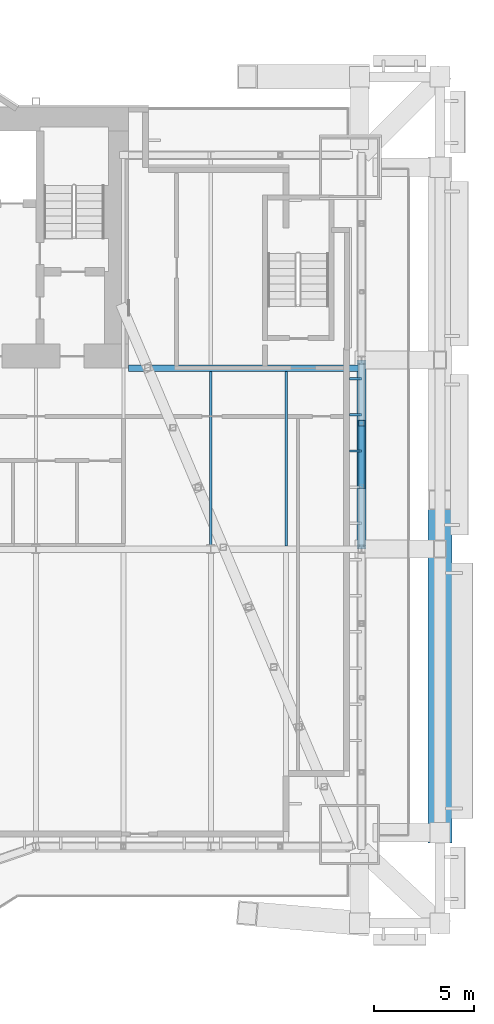
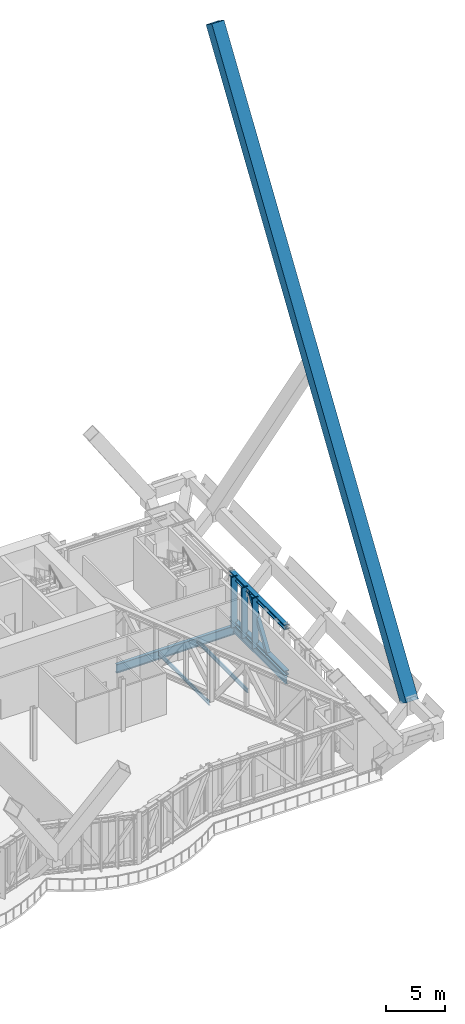
# One storey, part 17 of 32: 7 members, 4 beams, 1 element without a shape of its own.
"""IFC4 building model written with IfcOpenShell, lengths in metres."""

from ifc_helpers import new_model, si_unit, direction, frame, origin, origin_2d, place, context, subcontext, project, spatial, rectangle, hollow_rectangle, i_section, extrude, material, material_profile, profile_set, type_object, element, aggregate, save


model = new_model("IFC4")

# Units and contexts
model_context = context("Model", 3, precision=1e-05, world=origin(), true_north=direction((0.0, 1.0)))
body_context = subcontext(model_context, "Body", "Model", "MODEL_VIEW")
ifc_project = project(units=[si_unit("LENGTHUNIT", "METRE"), si_unit("AREAUNIT", "SQUARE_METRE"), si_unit("VOLUMEUNIT", "CUBIC_METRE"), si_unit("PLANEANGLEUNIT", "RADIAN"), si_unit("MASSUNIT", "GRAM", prefix="KILO")], contexts=[model_context])

# Site, building, storey
site_placement = place(None, origin())
site = spatial("IfcSite", under=ifc_project, at=site_placement, CompositionType="ELEMENT")
building_placement = place(site_placement, origin())
building = spatial("IfcBuilding", under=site, at=building_placement, Name="Bicima Exchange Tower", CompositionType="ELEMENT")
storey_placement = place(building_placement, frame((0.0, 0.0, 84.5)))
storey = spatial("IfcBuildingStorey", under=building, at=storey_placement, Name="L17", CompositionType="ELEMENT", Elevation=84.5)

# Curtain wall, members
ifc_material_1 = material(Name="Anodised bronze aluminium", Category="aluminium")
curtain_wall_type = type_object("IfcCurtainWallType", Name="Band blade screen", PredefinedType="NOTDEFINED", material=ifc_material_1)
curtain_wall_placement = place(storey_placement, origin())
curtain_wall = element("IfcCurtainWall", 1, at=curtain_wall_placement, inside=storey, type_object=curtain_wall_type, Name="Band blade screen L17", PredefinedType="NOTDEFINED")
ifc_material_profile_1 = material_profile(ifc_material_1, rectangle(XDim=0.60009765625, YDim=0.1201171875, at=origin_2d()))
ifc_profile_set_1 = profile_set([ifc_material_profile_1], Name="Anodised bronze aluminium")
member_type_1 = type_object("IfcMemberType", Name="Band blade fin 600 x 120", PredefinedType="USERDEFINED", material=ifc_profile_set_1)
member_1_placement = place(storey_placement, frame((33.300048828125, -17.1201171875, 0.0), z_axis=(0.0, 0.0, 1.0), x_axis=(-1.0, 0.0, 0.0)))
member_1 = element("IfcMember", 2, at=member_1_placement, type_object=member_type_1, Name="Band blade fin 9", ObjectType="FIN", PredefinedType="USERDEFINED", context=body_context, shape_type="SweptSolid", body=[
    extrude(rectangle(XDim=0.60009765625, YDim=0.1201171875, at=origin_2d()), origin(), (0.0, 0.0, 1.0), 5.25),
])
member_2_placement = place(storey_placement, frame((33.300048828125, -15.320068359375, 0.0), z_axis=(0.0, 0.0, 1.0), x_axis=(-1.0, 0.0, 0.0)))
member_2 = element("IfcMember", 3, at=member_2_placement, type_object=member_type_1, Name="Band blade fin 10", ObjectType="FIN", PredefinedType="USERDEFINED", context=body_context, shape_type="SweptSolid", body=[
    extrude(rectangle(XDim=0.60009765625, YDim=0.1201171875, at=origin_2d()), origin(), (0.0, 0.0, 1.0), 5.25),
])
member_3_placement = place(storey_placement, frame((33.300048828125, -13.52001953125, 0.0), z_axis=(0.0, 0.0, 1.0), x_axis=(-1.0, 0.0, 0.0)))
member_3 = element("IfcMember", 4, at=member_3_placement, type_object=member_type_1, Name="Band blade fin 11", ObjectType="FIN", PredefinedType="USERDEFINED", context=body_context, shape_type="SweptSolid", body=[
    extrude(rectangle(XDim=0.60009765625, YDim=0.1201171875, at=origin_2d()), origin(), (0.0, 0.0, 1.0), 5.25),
])
aggregate(curtain_wall, [member_1, member_2, member_3])

# Members
ifc_material_2 = material(Name="Steel ASTM A992 Gr 50", Category="steel")
ifc_material_profile_2 = material_profile(ifc_material_2, i_section(OverallWidth=0.431884765625, OverallDepth=0.497802734375, WebThickness=0.0556640625, FlangeThickness=0.0888671875, at=origin_2d()))
ifc_profile_set_2 = profile_set([ifc_material_profile_2], Name="Steel ASTM A992 Gr 50")
member_type_2 = type_object("IfcMemberType", Name="Belt truss chord W14x500", PredefinedType="CHORD", material=ifc_profile_set_2)
for number, where, z_axis, x_axis, name in (
    (5, (33.60009765625, -12.60009765625, 5.001220703125), (0.0, -1.0, 0.0), (1.0, 0.0, 0.0), "Top chord"),
    (6, (33.60009765625, -12.60009765625, 0.248779296875), (0.0, -1.0, 0.0), (1.0, 0.0, 0.0), "Bottom chord"),
):
    element("IfcMember", number, at=place(storey_placement, frame(where, z_axis=z_axis, x_axis=x_axis)), inside=storey, type_object=member_type_2, Name=name, PredefinedType="CHORD", context=body_context, shape_type="SweptSolid", body=[
        extrude(i_section(OverallWidth=0.431884765625, OverallDepth=0.497802734375, WebThickness=0.0556640625, FlangeThickness=0.0888671875, at=origin_2d()), origin(), (0.0, 0.0, 1.0), 9.39990234375),
    ])
ifc_material_3 = material(Name="Steel ASTM A572 Gr 50", Category="steel")
ifc_material_profile_3 = material_profile(ifc_material_3, hollow_rectangle(XDim=0.355712890625, YDim=0.355712890625, WallThickness=0.0146484375, at=origin_2d()))
ifc_profile_set_3 = profile_set([ifc_material_profile_3], Name="Steel ASTM A572 Gr 50")
member_type_3 = type_object("IfcMemberType", Name="Belt truss diagonal HSS14x14x5/8", PredefinedType="STRUT", material=ifc_profile_set_3)
member_4_placement = place(storey_placement, frame((33.60009765625, -15.7333984375, 5.001220703125), z_axis=(0.0, -0.550437034479, -0.834876680159), x_axis=(1.0, 0.0, 0.0)))
element("IfcMember", 7, at=member_4_placement, inside=storey, type_object=member_type_3, Name="Truss diagonal", PredefinedType="STRUT", context=body_context, shape_type="SweptSolid", body=[
    extrude(hollow_rectangle(XDim=0.355712890625, YDim=0.355712890625, WallThickness=0.0146484375, at=origin_2d()), origin(), (0.0, 0.0, 1.0), 5.6923828125),
])

# Beams
ifc_material_profile_4 = material_profile(ifc_material_2, i_section(OverallWidth=0.3046875, OverallDepth=0.911865234375, WebThickness=0.015869140625, FlangeThickness=0.02392578125, at=origin_2d()))
ifc_profile_set_4 = profile_set([ifc_material_profile_4], Name="Steel ASTM A992 Gr 50")
beam_type_1 = type_object("IfcBeamType", Name="Core-line girder W36x150", PredefinedType="BEAM", material=ifc_profile_set_4)
beam_1_placement = place(storey_placement, frame((22.0, -13.0, -0.656005859375), z_axis=(1.0, 0.0, 0.0), x_axis=(0.0, 1.0, 0.0)))
element("IfcBeam", 8, at=beam_1_placement, inside=storey, type_object=beam_type_1, Name="Core-line girder", PredefinedType="BEAM", context=body_context, shape_type="SweptSolid", body=[
    extrude(i_section(OverallWidth=0.3046875, OverallDepth=0.911865234375, WebThickness=0.015869140625, FlangeThickness=0.02392578125, at=origin_2d()), origin(), (0.0, 0.0, 1.0), 11.60009765625),
])
ifc_material_profile_5 = material_profile(ifc_material_2, i_section(OverallWidth=0.256591796875, OverallDepth=0.693359375, WebThickness=0.014404296875, FlangeThickness=0.023681640625, at=origin_2d()))
ifc_profile_set_5 = profile_set([ifc_material_profile_5], Name="Steel ASTM A992 Gr 50")
beam_type_2 = type_object("IfcBeamType", Name="End girder W27x114", PredefinedType="BEAM", material=ifc_profile_set_5)
beam_2_placement = place(storey_placement, frame((33.60009765625, -12.60009765625, -0.546630859375), z_axis=(0.0, -1.0, 0.0), x_axis=(1.0, 0.0, 0.0)))
element("IfcBeam", 9, at=beam_2_placement, inside=storey, type_object=beam_type_2, Name="End girder", PredefinedType="BEAM", context=body_context, shape_type="SweptSolid", body=[
    extrude(i_section(OverallWidth=0.256591796875, OverallDepth=0.693359375, WebThickness=0.014404296875, FlangeThickness=0.023681640625, at=origin_2d()), origin(), (0.0, 0.0, 1.0), 9.39990234375),
])

# Member
ifc_material_profile_6 = material_profile(ifc_material_3, hollow_rectangle(XDim=1.199951171875, YDim=1.199951171875, WallThickness=0.070068359375, at=origin_2d()))
ifc_profile_set_6 = profile_set([ifc_material_profile_6], Name="Steel ASTM A572 Gr 50")
member_type_4 = type_object("IfcMemberType", Name="Exo mega brace BOX 1200x1200x70", PredefinedType="BRACE", material=ifc_profile_set_6)
member_5_placement = place(storey_placement, frame((37.5, -36.11279296875, 4.5), z_axis=(0.0, 0.54833425175, 0.836259259057), x_axis=(-1.0, 0.0, 0.0)))
element("IfcMember", 10, at=member_5_placement, inside=storey, type_object=member_type_4, Name="Exo mega brace end", PredefinedType="BRACE", context=body_context, shape_type="SweptSolid", body=[
    extrude(hollow_rectangle(XDim=1.199951171875, YDim=1.199951171875, WallThickness=0.070068359375, at=origin_2d()), origin(), (0.0, 0.0, 1.0), 60.387939453125),
])

# Beams
ifc_material_profile_7 = material_profile(ifc_material_2, i_section(OverallWidth=0.140380859375, OverallDepth=0.40380859375, WebThickness=0.007080078125, FlangeThickness=0.01123046875, at=origin_2d()))
ifc_profile_set_7 = profile_set([ifc_material_profile_7], Name="Steel ASTM A992 Gr 50")
beam_type_3 = type_object("IfcBeamType", Name="Floor beam W16x31", PredefinedType="JOIST", material=ifc_profile_set_7)
for number, where, z_axis, x_axis, name in (
    (11, (26.10009765625, -13.15234375, -0.40185546875), (0.0, -1.0, 0.0), (1.0, 0.0, 0.0), "Floor beam"),
    (12, (29.85009765625, -13.15234375, -0.40185546875), (0.0, -1.0, 0.0), (1.0, 0.0, 0.0), "Floor beam"),
):
    element("IfcBeam", number, at=place(storey_placement, frame(where, z_axis=z_axis, x_axis=x_axis)), inside=storey, type_object=beam_type_3, Name=name, PredefinedType="JOIST", context=body_context, shape_type="SweptSolid", body=[
        extrude(i_section(OverallWidth=0.140380859375, OverallDepth=0.40380859375, WebThickness=0.007080078125, FlangeThickness=0.01123046875, at=origin_2d()), origin(), (0.0, 0.0, 1.0), 8.68505859375),
    ])

save(model, "model.ifc")
